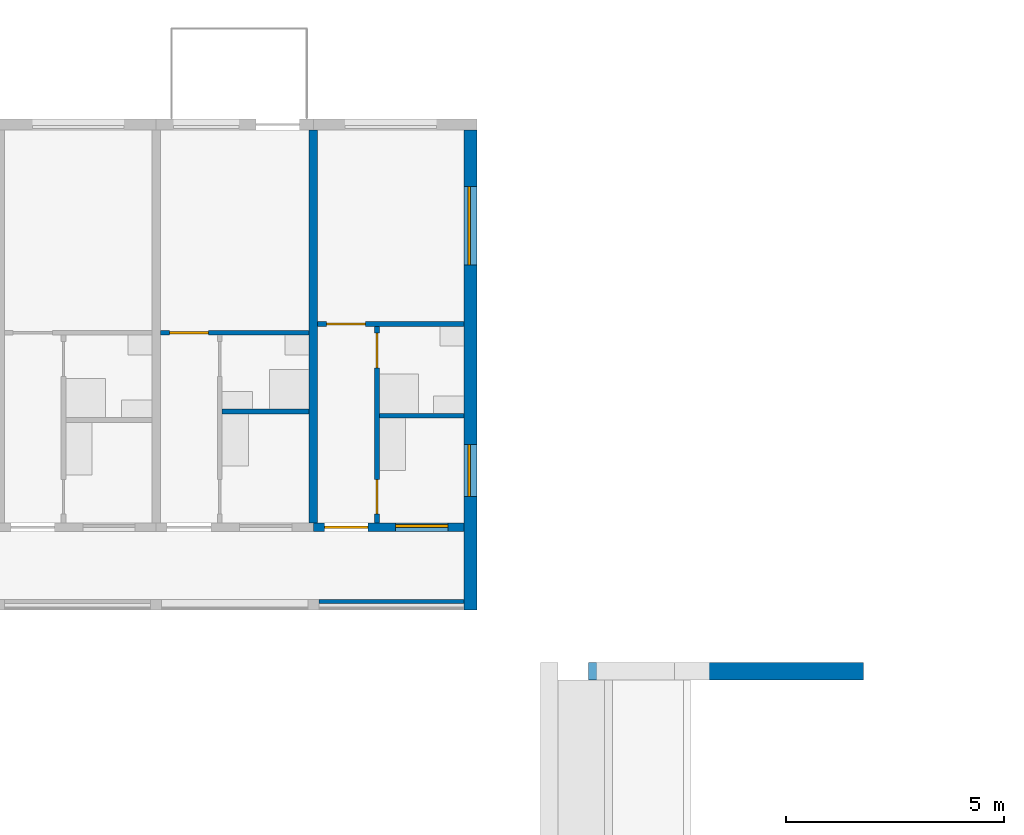
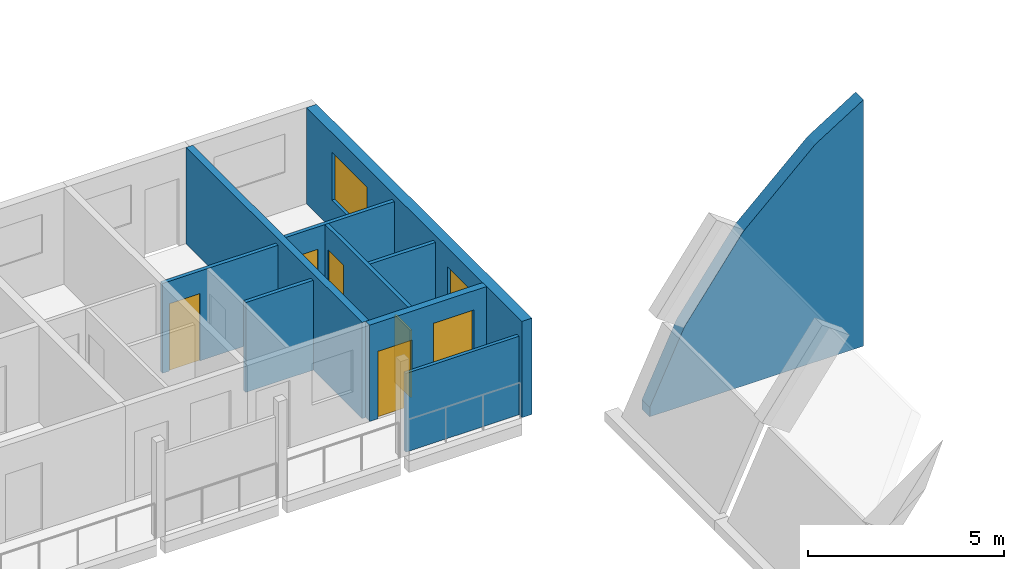
# One storey, part 44 of 100: 10 walls, 5 doors, 3 windows, 8 openings.
"""IFC4 building model written with IfcOpenShell, lengths in metres."""

from ifc_helpers import new_model, si_unit, direction, frame, frame_2d, origin, place, context, subcontext, project, spatial, polyline, rectangle, outline, extrude, material, layer, layer_set, type_object, element, fill, save


model = new_model("IFC4")

# Units and contexts
model_context = context("Model", 3, precision=1e-05, world=origin(), true_north=direction((0.0, 1.0)))
body_context = subcontext(model_context, "Body", "Model", "MODEL_VIEW")
ifc_project = project(units=[si_unit("LENGTHUNIT", "METRE"), si_unit("AREAUNIT", "SQUARE_METRE"), si_unit("VOLUMEUNIT", "CUBIC_METRE"), si_unit("PLANEANGLEUNIT", "RADIAN"), si_unit("MASSUNIT", "GRAM", prefix="KILO")], contexts=[model_context])

# Site, building, storey
site_placement = place(None, origin())
site = spatial("IfcSite", under=ifc_project, at=site_placement, CompositionType="ELEMENT")
building_placement = place(site_placement, origin())
building = spatial("IfcBuilding", under=site, at=building_placement, Name="Ridgestep Commons", CompositionType="ELEMENT")
storey_placement = place(building_placement, frame((0.0, 0.0, 9.0)))
storey = spatial("IfcBuildingStorey", under=building, at=storey_placement, Name="L03", CompositionType="ELEMENT", Elevation=9.0)

# Wall
ifc_material_1 = material(Name="Precast concrete C40/50", Category="concrete")
ifc_layer_1 = layer(ifc_material_1, 0.199951171875)
ifc_layer_set_1 = layer_set([ifc_layer_1], Name="Cross wall 200")
wall_type_1 = type_object("IfcWallType", Name="Cross wall 200", PredefinedType="SHEAR", material=ifc_layer_set_1)
wall_1_placement = place(storey_placement, frame((109.199951171875, 68.0, 0.0), z_axis=(0.0, 0.0, 1.0), x_axis=(0.0, 1.0, 0.0)))
element("IfcWall", 1, at=wall_1_placement, inside=storey, type_object=wall_type_1, Name="Cross wall B-03-1092", PredefinedType="SHEAR", context=body_context, shape_type="SweptSolid", body=[
    extrude(rectangle(XDim=9.0, YDim=0.199951171875, at=frame_2d((4.5, 0.0))), origin(), (0.0, 0.0, 1.0), 3.0),
])

# Wall, openings, windows
ifc_material_2 = material(Name="Precast concrete C40/50", Category="concrete")
ifc_layer_2 = layer(ifc_material_2, 0.300048828125)
ifc_layer_set_2 = layer_set([ifc_layer_2], Name="Exposed division wall 300")
wall_type_2 = type_object("IfcWallType", Name="Exposed division wall 300", PredefinedType="SHEAR", material=ifc_layer_set_2)
wall_2_placement = place(storey_placement, frame((112.800048828125, 66.0, 0.0), z_axis=(0.0, 0.0, 1.0), x_axis=(0.0, 1.0, 0.0)))
wall_2 = element("IfcWall", 2, at=wall_2_placement, inside=storey, type_object=wall_type_2, Name="Cross wall B-03-1128", PredefinedType="SHEAR", context=body_context, shape_type="SweptSolid", body=[
    extrude(rectangle(XDim=11.0, YDim=0.300048828125, at=frame_2d((5.5, 0.0))), origin(), (0.0, 0.0, 1.0), 3.0),
])
opening_1_placement = place(wall_2_placement, frame((2.60009765625, 0.0, 0.89990234375)))
opening_1 = element("IfcOpeningElement", 3, at=opening_1_placement, cuts=wall_2, Name="Opening W10", PredefinedType="OPENING", context=body_context, shape_type="SweptSolid", body=[
    extrude(rectangle(XDim=1.199951171875, YDim=1.5, at=frame_2d((0.60009765625, 0.75))), frame((0.0, 0.159912109375, 0.0), z_axis=(0.0, -1.0, 0.0), x_axis=(1.0, 0.0, 0.0)), (0.0, 0.0, 1.0), 0.320068359375),
])
opening_2_placement = place(wall_2_placement, frame((7.905029296875, 0.0, 0.89990234375)))
opening_2 = element("IfcOpeningElement", 4, at=opening_2_placement, cuts=wall_2, Name="Opening W20", PredefinedType="OPENING", context=body_context, shape_type="SweptSolid", body=[
    extrude(rectangle(XDim=1.800048828125, YDim=1.5, at=frame_2d((0.89990234375, 0.75))), frame((0.0, 0.159912109375, 0.0), z_axis=(0.0, -1.0, 0.0), x_axis=(1.0, 0.0, 0.0)), (0.0, 0.0, 1.0), 0.320068359375),
])
ifc_material_3 = material(Name="Aluminium 6063-T6 and glass", Category="aluminium")
window_type_1 = type_object("IfcWindowType", Name="Flat window 1200 x 1500", PartitioningType="SINGLE_PANEL", PredefinedType="WINDOW", material=ifc_material_3)
window_1_placement = place(opening_1_placement, origin())
window_1 = element("IfcWindow", 5, at=window_1_placement, inside=storey, type_object=window_type_1, Name="Window B6-03a 3", OverallHeight=1.5, OverallWidth=1.199951171875, PartitioningType="SINGLE_PANEL", PredefinedType="WINDOW", context=body_context, shape_type="SweptSolid", body=[
    extrude(rectangle(XDim=1.199951171875, YDim=1.5, at=frame_2d((0.60009765625, 0.75))), frame((0.0, 0.06005859375, 0.0), z_axis=(0.0, -1.0, 0.0), x_axis=(1.0, 0.0, 0.0)), (0.0, 0.0, 1.0), 0.06005859375),
])
fill(opening_1, window_1)
ifc_material_4 = material(Name="Aluminium 6063-T6 and glass", Category="aluminium")
window_type_2 = type_object("IfcWindowType", Name="Flat window 1800 x 1500", PartitioningType="DOUBLE_PANEL_VERTICAL", PredefinedType="WINDOW", material=ifc_material_4)
window_2_placement = place(opening_2_placement, origin())
window_2 = element("IfcWindow", 6, at=window_2_placement, inside=storey, type_object=window_type_2, Name="Window B6-03a 4", OverallHeight=1.5, OverallWidth=1.800048828125, PartitioningType="SINGLE_PANEL", PredefinedType="WINDOW", context=body_context, shape_type="SweptSolid", body=[
    extrude(rectangle(XDim=1.800048828125, YDim=1.5, at=frame_2d((0.89990234375, 0.75))), frame((0.0, 0.06005859375, 0.0), z_axis=(0.0, -1.0, 0.0), x_axis=(1.0, 0.0, 0.0)), (0.0, 0.0, 1.0), 0.06005859375),
])
fill(opening_2, window_2)

# Wall
ifc_material_5 = material(Name="Precast concrete C40/50", Category="concrete")
ifc_layer_3 = layer(ifc_material_5, 0.39990234375)
ifc_layer_set_3 = layer_set([ifc_layer_3], Name="Hall gable infill 400")
wall_type_3 = type_object("IfcWallType", Name="Hall gable infill 400", PredefinedType="SOLIDWALL", material=ifc_layer_set_3)
wall_3_placement = place(storey_placement, frame((115.5, 64.60009765625, 0.0), z_axis=(0.0, 0.0, 1.0), x_axis=(1.0, 0.0, 0.0)))
element("IfcWall", 7, at=wall_3_placement, inside=storey, type_object=wall_type_3, Name="Hall gable infill 400", PredefinedType="SOLIDWALL", context=body_context, shape_type="SweptSolid", body=[
    extrude(outline(polyline([(0.0, 0.0), (6.300048828125, 0.0), (6.300048828125, 7.678466796875), (4.8857421875, 6.79150390625), (2.74951171875, 4.804931640625), (1.0244140625, 2.45263671875), (0.0, 0.2978515625), (0.0, 0.0)])), frame((0.0, 0.199951171875, 0.0), z_axis=(0.0, -1.0, 0.0), x_axis=(1.0, 0.0, 0.0)), (0.0, 0.0, 1.0), 0.39990234375),
])

# Wall, openings, doors
ifc_material_6 = material(Name="Common brick 110 mm", Category="masonry")
ifc_layer_4 = layer(ifc_material_6, 0.110107421875)
ifc_layer_set_4 = layer_set([ifc_layer_4], Name="Partition 110")
wall_type_4 = type_object("IfcWallType", Name="Partition 110", PredefinedType="PARTITIONING", material=ifc_layer_set_4)
wall_4_placement = place(storey_placement, frame((110.655029296875, 68.0, 0.0), z_axis=(0.0, 0.0, 1.0), x_axis=(0.0, 1.0, 0.0)))
wall_4 = element("IfcWall", 8, at=wall_4_placement, inside=storey, type_object=wall_type_4, Name="Partition B6-03a", PredefinedType="PARTITIONING", context=body_context, shape_type="SweptSolid", body=[
    extrude(rectangle(XDim=4.5, YDim=0.110107421875, at=frame_2d((2.25, 0.0))), origin(), (0.0, 0.0, 1.0), 2.800048828125),
])
opening_3_placement = place(wall_4_placement, frame((0.199951171875, 0.0, 0.0)))
opening_3 = element("IfcOpeningElement", 9, at=opening_3_placement, cuts=wall_4, Name="Opening B6-03a/2", PredefinedType="OPENING", context=body_context, shape_type="SweptSolid", body=[
    extrude(rectangle(XDim=0.800048828125, YDim=2.10009765625, at=frame_2d((0.39990234375, 1.050048828125))), frame((0.0, 0.06494140625, 0.0), z_axis=(0.0, -1.0, 0.0), x_axis=(1.0, 0.0, 0.0)), (0.0, 0.0, 1.0), 0.130126953125),
])
opening_4_placement = place(wall_4_placement, frame((3.550048828125, 0.0, 0.0)))
opening_4 = element("IfcOpeningElement", 10, at=opening_4_placement, cuts=wall_4, Name="Opening B6-03a/3", PredefinedType="OPENING", context=body_context, shape_type="SweptSolid", body=[
    extrude(rectangle(XDim=0.800048828125, YDim=2.10009765625, at=frame_2d((0.39990234375, 1.050048828125))), frame((0.0, 0.06494140625, 0.0), z_axis=(0.0, -1.0, 0.0), x_axis=(1.0, 0.0, 0.0)), (0.0, 0.0, 1.0), 0.130126953125),
])
ifc_material_7 = material(Name="Timber door leaf", Category="wood")
door_type_1 = type_object("IfcDoorType", Name="Internal door 800 x 2100", OperationType="NOTDEFINED", PredefinedType="DOOR", material=ifc_material_7)
door_1_placement = place(opening_3_placement, origin())
door_1 = element("IfcDoor", 11, at=door_1_placement, inside=storey, type_object=door_type_1, Name="Internal door B6-03a/2", OperationType="SINGLE_SWING_RIGHT", OverallHeight=2.10009765625, OverallWidth=0.800048828125, PredefinedType="DOOR", context=body_context, shape_type="SweptSolid", body=[
    extrude(rectangle(XDim=0.800048828125, YDim=2.10009765625, at=frame_2d((0.39990234375, 1.050048828125))), frame((0.0, 0.02490234375, 0.0), z_axis=(0.0, -1.0, 0.0), x_axis=(1.0, 0.0, 0.0)), (0.0, 0.0, 1.0), 0.050048828125),
])
fill(opening_3, door_1)
door_2_placement = place(opening_4_placement, origin())
door_2 = element("IfcDoor", 12, at=door_2_placement, inside=storey, type_object=door_type_1, Name="Internal door B6-03a/3", OperationType="SINGLE_SWING_LEFT", OverallHeight=2.10009765625, OverallWidth=0.800048828125, PredefinedType="DOOR", context=body_context, shape_type="SweptSolid", body=[
    extrude(rectangle(XDim=0.800048828125, YDim=2.10009765625, at=frame_2d((0.39990234375, 1.050048828125))), frame((0.0, 0.02490234375, 0.0), z_axis=(0.0, -1.0, 0.0), x_axis=(1.0, 0.0, 0.0)), (0.0, 0.0, 1.0), 0.050048828125),
])
fill(opening_4, door_2)

# Wall
wall_5_placement = place(storey_placement, frame((110.7099609375, 70.455078125, 0.0), z_axis=(0.0, 0.0, 1.0), x_axis=(1.0, 0.0, 0.0)))
element("IfcWall", 13, at=wall_5_placement, inside=storey, type_object=wall_type_4, Name="Partition B6-03a", PredefinedType="PARTITIONING", context=body_context, shape_type="SweptSolid", body=[
    extrude(rectangle(XDim=1.93994140625, YDim=0.110107421875, at=frame_2d((0.969970703125, 0.0))), origin(), (0.0, 0.0, 1.0), 2.800048828125),
])

# Wall, opening, door
wall_6_placement = place(storey_placement, frame((109.300048828125, 72.554931640625, 0.0), z_axis=(0.0, 0.0, 1.0), x_axis=(1.0, 0.0, 0.0)))
wall_6 = element("IfcWall", 14, at=wall_6_placement, inside=storey, type_object=wall_type_4, Name="Partition B6-03a", PredefinedType="PARTITIONING", context=body_context, shape_type="SweptSolid", body=[
    extrude(rectangle(XDim=3.349853515625, YDim=0.110107421875, at=frame_2d((1.6748046875, 0.0))), origin(), (0.0, 0.0, 1.0), 2.800048828125),
])
opening_5_placement = place(wall_6_placement, frame((0.199951171875, 0.0, 0.0)))
opening_5 = element("IfcOpeningElement", 15, at=opening_5_placement, cuts=wall_6, Name="Opening B6-03a/4", PredefinedType="OPENING", context=body_context, shape_type="SweptSolid", body=[
    extrude(rectangle(XDim=0.89990234375, YDim=2.10009765625, at=frame_2d((0.449951171875, 1.050048828125))), frame((0.0, 0.06494140625, 0.0), z_axis=(0.0, -1.0, 0.0), x_axis=(1.0, 0.0, 0.0)), (0.0, 0.0, 1.0), 0.130126953125),
])
ifc_material_8 = material(Name="Timber door leaf", Category="wood")
door_type_2 = type_object("IfcDoorType", Name="Internal door 900 x 2100", OperationType="NOTDEFINED", PredefinedType="DOOR", material=ifc_material_8)
door_3_placement = place(opening_5_placement, origin())
door_3 = element("IfcDoor", 16, at=door_3_placement, inside=storey, type_object=door_type_2, Name="Internal door B6-03a/4", OperationType="SINGLE_SWING_LEFT", OverallHeight=2.10009765625, OverallWidth=0.89990234375, PredefinedType="DOOR", context=body_context, shape_type="SweptSolid", body=[
    extrude(rectangle(XDim=0.89990234375, YDim=2.10009765625, at=frame_2d((0.449951171875, 1.050048828125))), frame((0.0, 0.02490234375, 0.0), z_axis=(0.0, -1.0, 0.0), x_axis=(1.0, 0.0, 0.0)), (0.0, 0.0, 1.0), 0.050048828125),
])
fill(opening_5, door_3)

# Wall
wall_7_placement = place(storey_placement, frame((107.110107421875, 70.554931640625, 0.0), z_axis=(0.0, 0.0, 1.0), x_axis=(1.0, 0.0, 0.0)))
element("IfcWall", 17, at=wall_7_placement, inside=storey, type_object=wall_type_4, Name="Partition B6-03b", PredefinedType="PARTITIONING", context=body_context, shape_type="SweptSolid", body=[
    extrude(rectangle(XDim=1.989990234375, YDim=0.110107421875, at=frame_2d((0.9951171875, 0.0))), origin(), (0.0, 0.0, 1.0), 2.800048828125),
])

# Wall, opening, door
wall_8_placement = place(storey_placement, frame((105.699951171875, 72.35498046875, 0.0), z_axis=(0.0, 0.0, 1.0), x_axis=(1.0, 0.0, 0.0)))
wall_8 = element("IfcWall", 18, at=wall_8_placement, inside=storey, type_object=wall_type_4, Name="Partition B6-03b", PredefinedType="PARTITIONING", context=body_context, shape_type="SweptSolid", body=[
    extrude(rectangle(XDim=3.400146484375, YDim=0.110107421875, at=frame_2d((1.7001953125, 0.0))), origin(), (0.0, 0.0, 1.0), 2.800048828125),
])
opening_6_placement = place(wall_8_placement, frame((0.199951171875, 0.0, 0.0)))
opening_6 = element("IfcOpeningElement", 19, at=opening_6_placement, cuts=wall_8, Name="Opening B6-03b/4", PredefinedType="OPENING", context=body_context, shape_type="SweptSolid", body=[
    extrude(rectangle(XDim=0.89990234375, YDim=2.10009765625, at=frame_2d((0.449951171875, 1.050048828125))), frame((0.0, 0.06494140625, 0.0), z_axis=(0.0, -1.0, 0.0), x_axis=(1.0, 0.0, 0.0)), (0.0, 0.0, 1.0), 0.130126953125),
])
door_4_placement = place(opening_6_placement, origin())
door_4 = element("IfcDoor", 20, at=door_4_placement, inside=storey, type_object=door_type_2, Name="Internal door B6-03b/4", OperationType="SINGLE_SWING_RIGHT", OverallHeight=2.10009765625, OverallWidth=0.89990234375, PredefinedType="DOOR", context=body_context, shape_type="SweptSolid", body=[
    extrude(rectangle(XDim=0.89990234375, YDim=2.10009765625, at=frame_2d((0.449951171875, 1.050048828125))), frame((0.0, 0.02490234375, 0.0), z_axis=(0.0, -1.0, 0.0), x_axis=(1.0, 0.0, 0.0)), (0.0, 0.0, 1.0), 0.050048828125),
])
fill(opening_6, door_4)

# Wall
ifc_material_9 = material(Name="Precast concrete C30/37", Category="concrete")
ifc_layer_5 = layer(ifc_material_9, 0.10009765625)
ifc_layer_set_5 = layer_set([ifc_layer_5], Name="Perforated gallery screen 3325 x 2450 x 100")
wall_type_5 = type_object("IfcWallType", Name="Perforated gallery screen 3325 x 2450 x 100", PredefinedType="SOLIDWALL", material=ifc_layer_set_5)
wall_9_placement = place(storey_placement, frame((109.324951171875, 66.199951171875, 0.0), z_axis=(0.0, 0.0, 1.0), x_axis=(1.0, 0.0, 0.0)))
element("IfcWall", 21, at=wall_9_placement, inside=storey, type_object=wall_type_5, Name="Gallery screen B6T1 03", PredefinedType="SOLIDWALL", context=body_context, shape_type="SweptSolid", body=[
    extrude(rectangle(XDim=3.324951171875, YDim=0.10009765625, at=frame_2d((1.66259765625, 0.0))), origin(), (0.0, 0.0, 1.0), 2.449951171875),
])

# Wall, openings, door, window
ifc_material_10 = material(Name="Precast concrete C40/50", Category="concrete")
ifc_layer_6 = layer(ifc_material_10, 0.199951171875)
ifc_layer_set_6 = layer_set([ifc_layer_6], Name="South facade panel 200")
wall_type_6 = type_object("IfcWallType", Name="South facade panel 200", PredefinedType="SOLIDWALL", material=ifc_layer_set_6)
wall_10_placement = place(storey_placement, frame((109.199951171875, 67.89990234375, 0.0), z_axis=(0.0, 0.0, 1.0), x_axis=(1.0, 0.0, 0.0)))
wall_10 = element("IfcWall", 22, at=wall_10_placement, inside=storey, type_object=wall_type_6, Name="South panel B6T1 L03", PredefinedType="SOLIDWALL", context=body_context, shape_type="SweptSolid", body=[
    extrude(rectangle(XDim=3.449951171875, YDim=0.199951171875, at=frame_2d((1.72509765625, 0.0))), origin(), (0.0, 0.0, 1.0), 3.0),
])
opening_7_placement = place(wall_10_placement, frame((1.8798828125, 0.0, 1.10009765625)))
opening_7 = element("IfcOpeningElement", 23, at=opening_7_placement, cuts=wall_10, Name="Opening W08", PredefinedType="OPENING", context=body_context, shape_type="SweptSolid", body=[
    extrude(rectangle(XDim=1.199951171875, YDim=1.300048828125, at=frame_2d((0.60009765625, 0.64990234375))), frame((0.0, 0.10986328125, 0.0), z_axis=(0.0, -1.0, 0.0), x_axis=(1.0, 0.0, 0.0)), (0.0, 0.0, 1.0), 0.219970703125),
])
opening_8_placement = place(wall_10_placement, frame((0.25, 0.0, 0.0)))
opening_8 = element("IfcOpeningElement", 24, at=opening_8_placement, cuts=wall_10, Name="Opening B6-03a/1", PredefinedType="OPENING", context=body_context, shape_type="SweptSolid", body=[
    extrude(rectangle(XDim=1.0, YDim=2.10009765625, at=frame_2d((0.5, 1.050048828125))), frame((0.0, 0.10986328125, 0.0), z_axis=(0.0, -1.0, 0.0), x_axis=(1.0, 0.0, 0.0)), (0.0, 0.0, 1.0), 0.219970703125),
])
ifc_material_11 = material(Name="Timber door leaf", Category="wood")
door_type_3 = type_object("IfcDoorType", Name="Flat entrance door 1000 x 2100 FD30S", OperationType="NOTDEFINED", PredefinedType="DOOR", material=ifc_material_11)
door_5_placement = place(opening_8_placement, origin())
door_5 = element("IfcDoor", 25, at=door_5_placement, inside=storey, type_object=door_type_3, Name="Flat entrance door B6-03a/1", OperationType="SINGLE_SWING_LEFT", OverallHeight=2.10009765625, OverallWidth=1.0, PredefinedType="DOOR", context=body_context, shape_type="SweptSolid", body=[
    extrude(rectangle(XDim=1.0, YDim=2.10009765625, at=frame_2d((0.5, 1.050048828125))), frame((0.0, 0.02490234375, 0.0), z_axis=(0.0, -1.0, 0.0), x_axis=(1.0, 0.0, 0.0)), (0.0, 0.0, 1.0), 0.050048828125),
])
fill(opening_8, door_5)
ifc_material_12 = material(Name="Aluminium 6063-T6 and glass", Category="aluminium")
window_type_3 = type_object("IfcWindowType", Name="Flat window 1200 x 1300", PartitioningType="SINGLE_PANEL", PredefinedType="WINDOW", material=ifc_material_12)
window_3_placement = place(opening_7_placement, origin())
window_3 = element("IfcWindow", 26, at=window_3_placement, inside=storey, type_object=window_type_3, Name="Window B6-03a 1", OverallHeight=1.300048828125, OverallWidth=1.199951171875, PartitioningType="SINGLE_PANEL", PredefinedType="WINDOW", context=body_context, shape_type="SweptSolid", body=[
    extrude(rectangle(XDim=1.199951171875, YDim=1.300048828125, at=frame_2d((0.60009765625, 0.64990234375))), frame((0.0, 0.06005859375, 0.0), z_axis=(0.0, -1.0, 0.0), x_axis=(1.0, 0.0, 0.0)), (0.0, 0.0, 1.0), 0.06005859375),
])
fill(opening_7, window_3)

save(model, "model.ifc")
